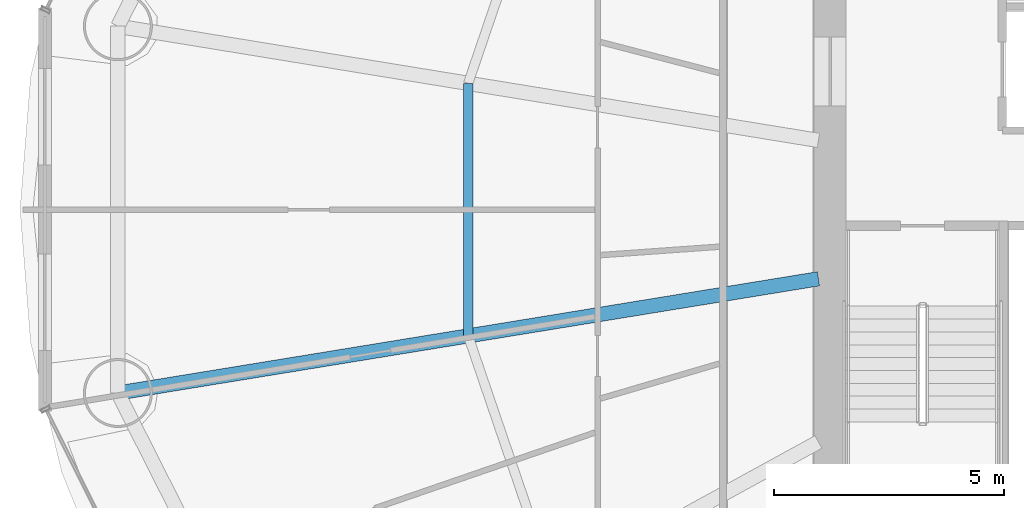
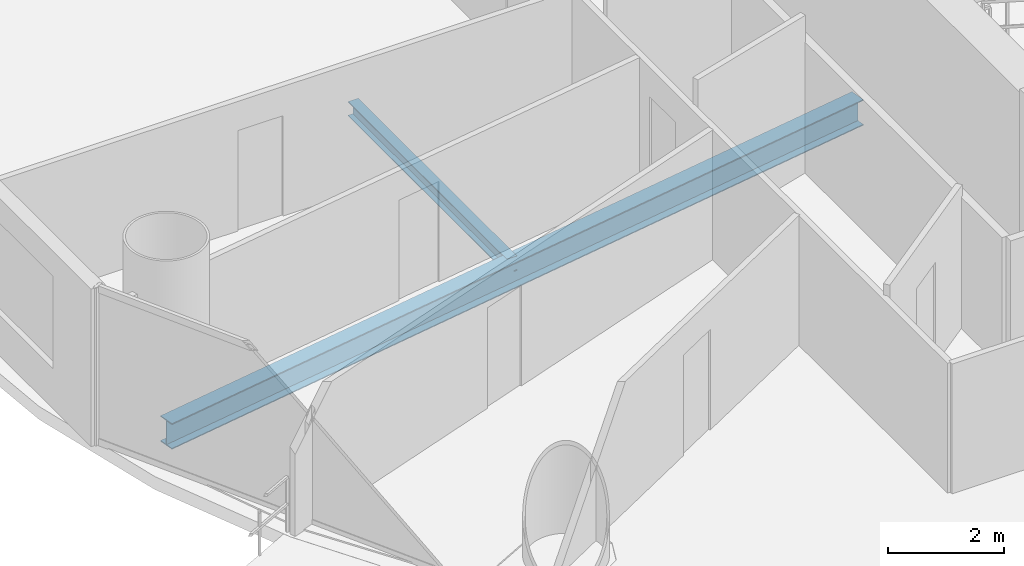
# One storey, part 8 of 29: 2 beams.
"""IFC4 building model written with IfcOpenShell, lengths in metres."""

from ifc_helpers import new_model, si_unit, direction, frame, origin, origin_2d, place, context, subcontext, project, spatial, i_section, extrude, material, material_profile, profile_set, type_object, element, save


model = new_model("IFC4")

# Units and contexts
model_context = context("Model", 3, precision=1e-05, world=origin(), true_north=direction((-0.2419218956, 0.970295726276)))
body_context = subcontext(model_context, "Body", "Model", "MODEL_VIEW")
ifc_project = project(units=[si_unit("LENGTHUNIT", "METRE"), si_unit("AREAUNIT", "SQUARE_METRE"), si_unit("VOLUMEUNIT", "CUBIC_METRE"), si_unit("PLANEANGLEUNIT", "RADIAN"), si_unit("MASSUNIT", "GRAM", prefix="KILO")], contexts=[model_context])

# Site, building, storey
site_placement = place(None, origin())
site = spatial("IfcSite", under=ifc_project, at=site_placement, CompositionType="ELEMENT")
building_placement = place(site_placement, origin())
building = spatial("IfcBuilding", under=site, at=building_placement, Name="Cobrevalo Terracotta Tower", CompositionType="ELEMENT")
storey_placement = place(building_placement, frame((0.0, 0.0, 90.60009765625)))
storey = spatial("IfcBuildingStorey", under=building, at=storey_placement, Name="L23", CompositionType="ELEMENT", Elevation=90.60009765625)

# Beams
ifc_material = material(Name="Steel S355", Category="steel")
ifc_material_profile_1 = material_profile(ifc_material, i_section(OverallWidth=0.31201171875, OverallDepth=0.54296875, WebThickness=0.0126953125, FlangeThickness=0.020263671875, at=origin_2d()), Name="W 530x150")
ifc_profile_set_1 = profile_set([ifc_material_profile_1], Name="Steel S355")
beam_type_1 = type_object("IfcBeamType", Name="Structural Beam W 530x150 (Steel S355)", PredefinedType="BEAM", material=ifc_profile_set_1)
beam_1_placement = place(storey_placement, frame((13.529296875, 22.810302734375, -0.546630859375), z_axis=(0.986968056587, 0.160916298977, 0.0), x_axis=(-0.160916298977, 0.986968056587, 0.0)))
element("IfcBeam", 1, at=beam_1_placement, inside=storey, type_object=beam_type_1, Name="L23 radial floor girder 09", PredefinedType="BEAM", context=body_context, shape_type="SweptSolid", body=[
    extrude(i_section(OverallWidth=0.31201171875, OverallDepth=0.54296875, WebThickness=0.0126953125, FlangeThickness=0.020263671875, at=origin_2d()), origin(), (0.0, 0.0, 1.0), 15.44189453125),
])
ifc_material_profile_2 = material_profile(ifc_material, i_section(OverallWidth=0.2041015625, OverallDepth=0.305908203125, WebThickness=0.008544921875, FlangeThickness=0.0146484375, at=origin_2d()), Name="W 310x67")
ifc_profile_set_2 = profile_set([ifc_material_profile_2], Name="Steel S355")
beam_type_2 = type_object("IfcBeamType", Name="Structural Joist W 310x67 (Steel S355)", PredefinedType="JOIST", material=ifc_profile_set_2)
beam_2_placement = place(storey_placement, frame((21.149658203125, 29.547119140625, -0.427978515625), z_axis=(0.0, -1.0, 0.0), x_axis=(1.0, 0.0, 0.0)))
element("IfcBeam", 2, at=beam_2_placement, inside=storey, type_object=beam_type_2, Name="L23 circumferential secondary floor joist 08", PredefinedType="JOIST", context=body_context, shape_type="SweptSolid", body=[
    extrude(i_section(OverallWidth=0.2041015625, OverallDepth=0.305908203125, WebThickness=0.008544921875, FlangeThickness=0.0146484375, at=origin_2d()), origin(), (0.0, 0.0, 1.0), 5.494384765625),
])

save(model, "model.ifc")
